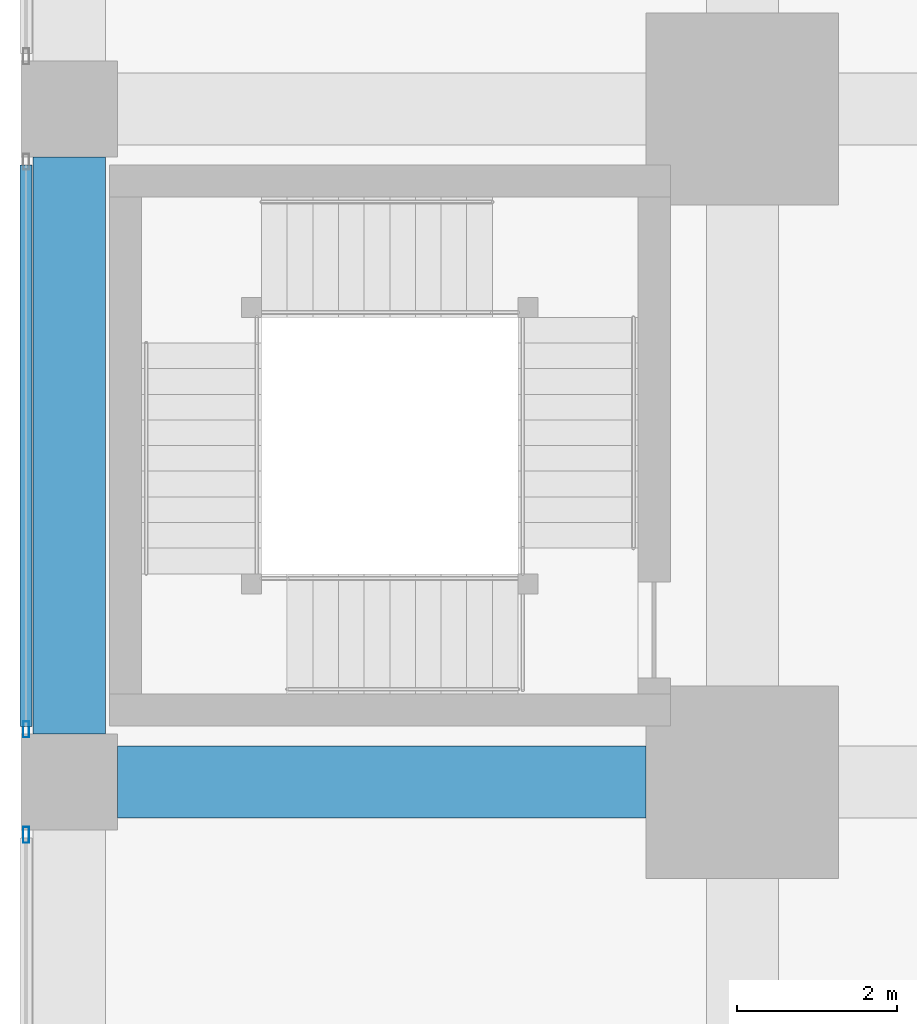
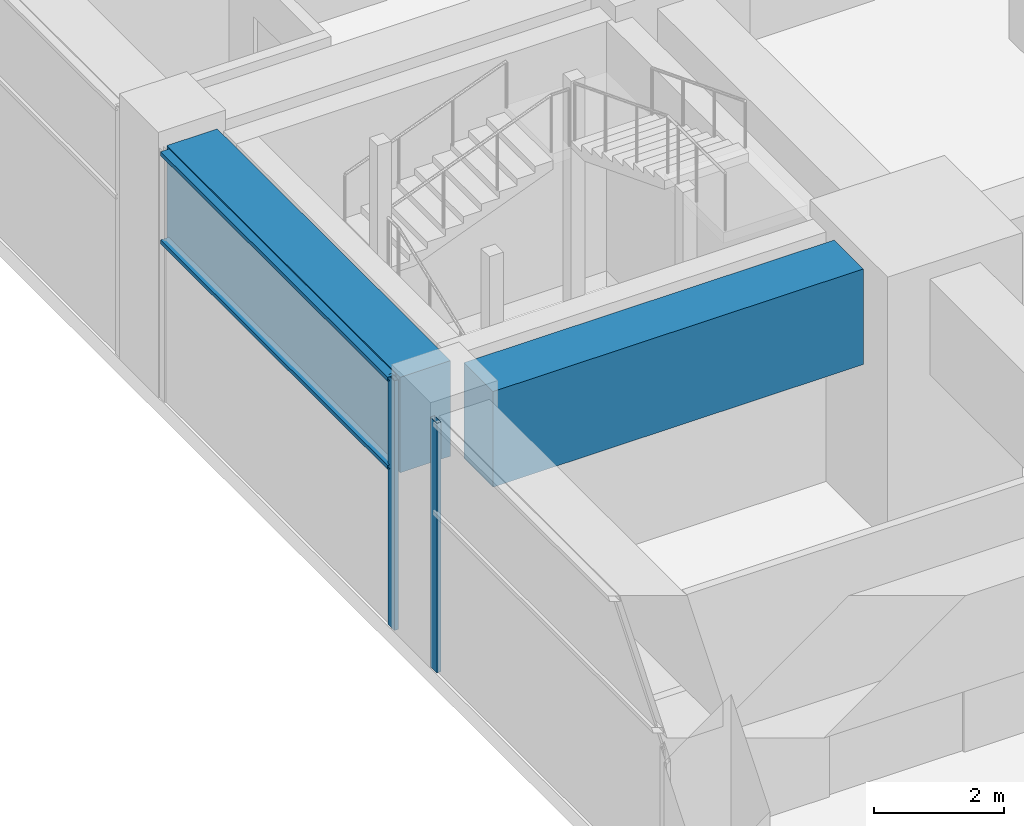
# One storey, part 11 of 48: 4 members, 2 beams, 2 elements without a shape of their own.
"""IFC4 building model written with IfcOpenShell, lengths in metres."""

from ifc_helpers import new_model, si_unit, direction, frame, origin, origin_2d, place, context, subcontext, project, spatial, rectangle, hollow_rectangle, extrude, material, material_profile, profile_set, type_object, element, aggregate, save


model = new_model("IFC4")

# Units and contexts
model_context = context("Model", 3, precision=1e-05, world=origin(), true_north=direction((0.0, 1.0)))
body_context = subcontext(model_context, "Body", "Model", "MODEL_VIEW")
ifc_project = project(units=[si_unit("LENGTHUNIT", "METRE"), si_unit("AREAUNIT", "SQUARE_METRE"), si_unit("VOLUMEUNIT", "CUBIC_METRE"), si_unit("PLANEANGLEUNIT", "RADIAN"), si_unit("MASSUNIT", "GRAM", prefix="KILO")], contexts=[model_context])

# Site, building, storey
site_placement = place(None, origin())
site = spatial("IfcSite", under=ifc_project, at=site_placement, CompositionType="ELEMENT")
building_placement = place(site_placement, origin())
building = spatial("IfcBuilding", under=site, at=building_placement, Name="Rekha Terrace Tower", CompositionType="ELEMENT")
storey_placement = place(building_placement, frame((0.0, 0.0, 15.39990234375)))
storey = spatial("IfcBuildingStorey", under=building, at=storey_placement, Name="L03", CompositionType="ELEMENT", Elevation=15.39990234375)

# Curtain wall, member
ifc_material_1 = material(Name="Aluminium framing", Category="aluminium")
curtain_wall_type = type_object("IfcCurtainWallType", Name="CW4 podium shopfront glazing", PredefinedType="USERDEFINED", material=ifc_material_1)
curtain_wall_1_placement = place(storey_placement, origin())
curtain_wall_1 = element("IfcCurtainWall", 1, at=curtain_wall_1_placement, inside=storey, type_object=curtain_wall_type, Name="CW4 shopfront curtain wall", ObjectType="SHOPFRONT CURTAIN WALL", PredefinedType="USERDEFINED")
ifc_material_2 = material(Name="Aluminium mullion section", Category="aluminium")
ifc_material_profile_1 = material_profile(ifc_material_2, hollow_rectangle(XDim=0.074951171875, YDim=0.199951171875, WallThickness=0.00390625, at=origin_2d()), Name="AL RHS 75x200")
ifc_profile_set_1 = profile_set([ifc_material_profile_1], Name="Aluminium mullion section")
member_type_1 = type_object("IfcMemberType", Name="CW4 mullion RHS 75 x 200", PredefinedType="MULLION", material=ifc_profile_set_1)
member_1_placement = place(storey_placement, frame((-0.5400390625, 25.857421875, 0.0), z_axis=(0.0, 0.0, 1.0), x_axis=(1.0, 0.0, 0.0)))
member_1 = element("IfcMember", 2, at=member_1_placement, type_object=member_type_1, Name="CW4 mullion 2", PredefinedType="MULLION", context=body_context, shape_type="SweptSolid", body=[
    extrude(hollow_rectangle(XDim=0.074951171875, YDim=0.199951171875, WallThickness=0.00390625, at=origin_2d()), origin(), (0.0, 0.0, 1.0), 4.7001953125),
])

curtain_wall_2_placement = place(storey_placement, origin())
curtain_wall_2 = element("IfcCurtainWall", 3, at=curtain_wall_2_placement, inside=storey, type_object=curtain_wall_type, Name="CW4 shopfront curtain wall", ObjectType="SHOPFRONT CURTAIN WALL", PredefinedType="USERDEFINED")
member_2_placement = place(storey_placement, frame((-0.5400390625, 24.54248046875, 0.0), z_axis=(0.0, 0.0, 1.0), x_axis=(1.0, 0.0, 0.0)))
member_2 = element("IfcMember", 4, at=member_2_placement, type_object=member_type_1, Name="CW4 mullion 1", PredefinedType="MULLION", context=body_context, shape_type="SweptSolid", body=[
    extrude(hollow_rectangle(XDim=0.074951171875, YDim=0.199951171875, WallThickness=0.00390625, at=origin_2d()), origin(), (0.0, 0.0, 1.0), 4.7001953125),
])
aggregate(curtain_wall_2, [member_2])

# Member
ifc_material_3 = material(Name="Aluminium transom section", Category="aluminium")
ifc_material_profile_2 = material_profile(ifc_material_3, hollow_rectangle(XDim=0.14990234375, YDim=0.074951171875, WallThickness=0.0029296875, at=origin_2d()), Name="AL RHS 150x75")
ifc_profile_set_2 = profile_set([ifc_material_profile_2], Name="Aluminium transom section")
member_type_2 = type_object("IfcMemberType", Name="CW4 transom RHS 75 x 150", PredefinedType="USERDEFINED", material=ifc_profile_set_2)
member_3_placement = place(storey_placement, frame((-0.5400390625, 32.905029296875, 3.0), z_axis=(0.0, -1.0, 0.0), x_axis=(1.0, 0.0, 0.0)))
member_3 = element("IfcMember", 5, at=member_3_placement, type_object=member_type_2, Name="CW4 transom 1.2", ObjectType="TRANSOM", PredefinedType="USERDEFINED", context=body_context, shape_type="SweptSolid", body=[
    extrude(hollow_rectangle(XDim=0.14990234375, YDim=0.074951171875, WallThickness=0.0029296875, at=origin_2d()), origin(), (0.0, 0.0, 1.0), 7.010009765625),
])

member_4_placement = place(storey_placement, frame((-0.5400390625, 32.905029296875, 4.66259765625), z_axis=(0.0, -1.0, 0.0), x_axis=(1.0, 0.0, 0.0)))
member_4 = element("IfcMember", 6, at=member_4_placement, type_object=member_type_2, Name="CW4 transom 1.3", ObjectType="TRANSOM", PredefinedType="USERDEFINED", context=body_context, shape_type="SweptSolid", body=[
    extrude(hollow_rectangle(XDim=0.14990234375, YDim=0.074951171875, WallThickness=0.0029296875, at=origin_2d()), origin(), (0.0, 0.0, 1.0), 7.010009765625),
])

aggregate(curtain_wall_1, [member_1, member_3, member_4])

# Beams
ifc_material_4 = material(Name="Concrete M60", Category="concrete")
ifc_material_profile_3 = material_profile(ifc_material_4, rectangle(XDim=0.89990234375, YDim=1.800048828125, at=origin_2d()), Name="RC 900x1800")
ifc_profile_set_3 = profile_set([ifc_material_profile_3], Name="Concrete M60")
beam_type = type_object("IfcBeamType", Name="G1 900x1800 podium floor beam", PredefinedType="BEAM", material=ifc_profile_set_3)
beam_1_placement = place(storey_placement, frame((0.60009765625, 25.199951171875, 3.800048828125), z_axis=(1.0, 0.0, 0.0), x_axis=(0.0, 1.0, 0.0)))
element("IfcBeam", 7, at=beam_1_placement, inside=storey, type_object=beam_type, Name="Beam G1 1D-2D under L04", PredefinedType="BEAM", context=body_context, shape_type="SweptSolid", body=[
    extrude(rectangle(XDim=0.89990234375, YDim=1.800048828125, at=origin_2d()), origin(), (0.0, 0.0, 1.0), 6.599853515625),
])
beam_2_placement = place(storey_placement, frame((0.0, 25.800048828125, 3.800048828125), z_axis=(0.0, 1.0, 0.0), x_axis=(-1.0, 0.0, 0.0)))
element("IfcBeam", 8, at=beam_2_placement, inside=storey, type_object=beam_type, Name="Beam G1 1D-1E under L04", PredefinedType="BEAM", context=body_context, shape_type="SweptSolid", body=[
    extrude(rectangle(XDim=0.89990234375, YDim=1.800048828125, at=origin_2d()), origin(), (0.0, 0.0, 1.0), 7.199951171875),
])

save(model, "model.ifc")
